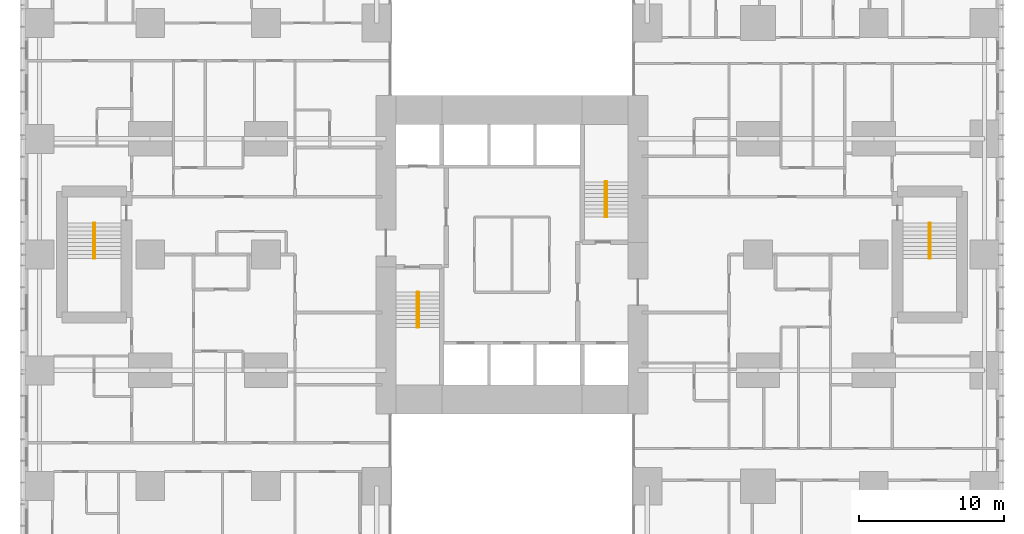
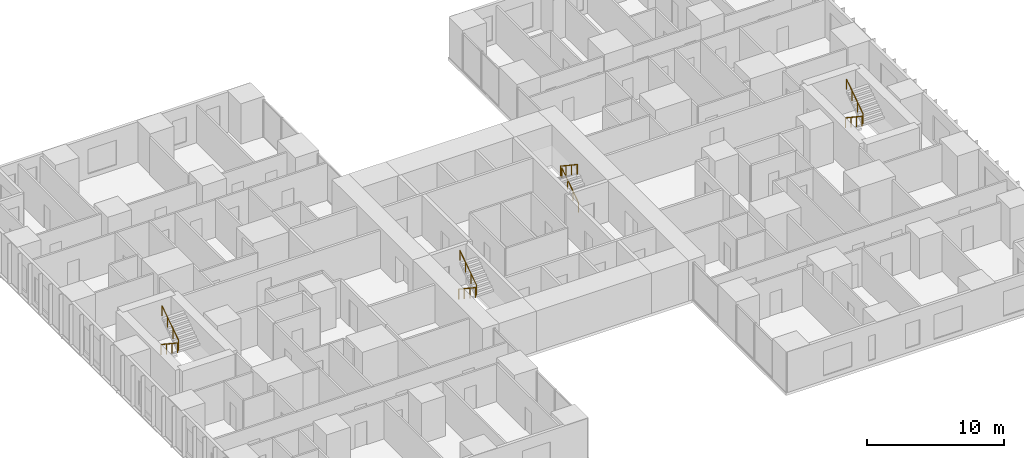
# One storey, part 20 of 20: 8 railings.
"""IFC4 building model written with IfcOpenShell, lengths in metres."""

from ifc_helpers import new_model, si_unit, direction, frame, origin, origin_2d, place, context, subcontext, project, spatial, circle, extrude, material, type_object, element, save


model = new_model("IFC4")

# Units and contexts
model_context = context("Model", 3, precision=1e-05, world=origin(), true_north=direction((0.0, 1.0)))
body_context = subcontext(model_context, "Body", "Model", "MODEL_VIEW")
ifc_project = project(units=[si_unit("LENGTHUNIT", "METRE"), si_unit("AREAUNIT", "SQUARE_METRE"), si_unit("VOLUMEUNIT", "CUBIC_METRE"), si_unit("PLANEANGLEUNIT", "RADIAN"), si_unit("MASSUNIT", "GRAM", prefix="KILO")], contexts=[model_context])

# Site, building, storey
site_placement = place(None, origin())
site = spatial("IfcSite", under=ifc_project, at=site_placement, CompositionType="ELEMENT")
building_placement = place(site_placement, origin())
building = spatial("IfcBuilding", under=site, at=building_placement, Name="Cleftline Residences", CompositionType="ELEMENT")
storey_placement = place(building_placement, frame((0.0, 0.0, 143.0)))
storey = spatial("IfcBuildingStorey", under=building, at=storey_placement, Name="L37", CompositionType="ELEMENT", Elevation=143.0)

# Railings
ifc_material = material(Name="Stainless steel", Category="steel")
railing_type = type_object("IfcRailingType", Name="HANDRAIL 900", PredefinedType="HANDRAIL", material=ifc_material)
railing_1_placement = place(storey_placement, frame((26.449951171875, 21.39990234375, 0.179931640625)))
element("IfcRailing", 1, at=railing_1_placement, inside=storey, type_object=railing_type, Name="Stair handrail", PredefinedType="HANDRAIL", context=body_context, shape_type="SweptSolid", body=[
    extrude(circle(Radius=0.02392578125, at=origin_2d()), frame((0.0, 0.0, 0.8759765625), z_axis=(0.0, -0.832024571796, 0.554738778101), x_axis=(1.0, 0.0, 0.0)), (0.0, 0.0, 1.0), 2.92041015625),
    extrude(circle(Radius=0.02099609375, at=origin_2d()), origin(), (0.0, 0.0, 1.0), 0.851806640625),
    extrude(circle(Radius=0.02099609375, at=origin_2d()), frame((0.0, -0.81005859375, 0.5400390625)), (0.0, 0.0, 1.0), 0.851806640625),
    extrude(circle(Radius=0.02099609375, at=origin_2d()), frame((0.0, -1.619873046875, 1.080078125)), (0.0, 0.0, 1.0), 0.851806640625),
    extrude(circle(Radius=0.02099609375, at=origin_2d()), frame((0.0, -2.429931640625, 1.6201171875)), (0.0, 0.0, 1.0), 0.851806640625),
])
for number, where, name in (
    (2, (26.550048828125, 18.969970703125, 1.97998046875), "Stair handrail"),
    (3, (39.550048828125, 26.60009765625, 0.179931640625), "Stair handrail"),
):
    element("IfcRailing", number, at=place(storey_placement, frame(where)), inside=storey, type_object=railing_type, Name=name, PredefinedType="HANDRAIL", context=body_context, shape_type="SweptSolid", body=[
        extrude(circle(Radius=0.02392578125, at=origin_2d()), frame((0.0, 0.0, 0.8759765625), z_axis=(0.0, 0.832024571796, 0.554738778101), x_axis=(-1.0, 0.0, 0.0)), (0.0, 0.0, 1.0), 2.92041015625),
        extrude(circle(Radius=0.02099609375, at=origin_2d()), origin(), (0.0, 0.0, 1.0), 0.851806640625),
        extrude(circle(Radius=0.02099609375, at=origin_2d()), frame((0.0, 0.81005859375, 0.5400390625)), (0.0, 0.0, 1.0), 0.851806640625),
        extrude(circle(Radius=0.02099609375, at=origin_2d()), frame((0.0, 1.619873046875, 1.080078125)), (0.0, 0.0, 1.0), 0.851806640625),
        extrude(circle(Radius=0.02099609375, at=origin_2d()), frame((0.0, 2.429931640625, 1.6201171875)), (0.0, 0.0, 1.0), 0.851806640625),
    ])
for number, where, name in (
    (4, (39.449951171875, 29.030029296875, 1.97998046875), "Stair handrail"),
    (5, (61.824951171875, 26.175048828125, 0.179931640625), "Stair handrail"),
):
    element("IfcRailing", number, at=place(storey_placement, frame(where)), inside=storey, type_object=railing_type, Name=name, PredefinedType="HANDRAIL", context=body_context, shape_type="SweptSolid", body=[
        extrude(circle(Radius=0.02392578125, at=origin_2d()), frame((0.0, 0.0, 0.8759765625), z_axis=(0.0, -0.832024571796, 0.554738778101), x_axis=(1.0, 0.0, 0.0)), (0.0, 0.0, 1.0), 2.92041015625),
        extrude(circle(Radius=0.02099609375, at=origin_2d()), origin(), (0.0, 0.0, 1.0), 0.851806640625),
        extrude(circle(Radius=0.02099609375, at=origin_2d()), frame((0.0, -0.81005859375, 0.5400390625)), (0.0, 0.0, 1.0), 0.851806640625),
        extrude(circle(Radius=0.02099609375, at=origin_2d()), frame((0.0, -1.619873046875, 1.080078125)), (0.0, 0.0, 1.0), 0.851806640625),
        extrude(circle(Radius=0.02099609375, at=origin_2d()), frame((0.0, -2.429931640625, 1.6201171875)), (0.0, 0.0, 1.0), 0.851806640625),
    ])
railing_2_placement = place(storey_placement, frame((61.925048828125, 23.7451171875, 1.97998046875)))
element("IfcRailing", 6, at=railing_2_placement, inside=storey, type_object=railing_type, Name="Stair handrail", PredefinedType="HANDRAIL", context=body_context, shape_type="SweptSolid", body=[
    extrude(circle(Radius=0.02392578125, at=origin_2d()), frame((0.0, 0.0, 0.8759765625), z_axis=(0.0, 0.832024571796, 0.554738778101), x_axis=(-1.0, 0.0, 0.0)), (0.0, 0.0, 1.0), 2.92041015625),
    extrude(circle(Radius=0.02099609375, at=origin_2d()), origin(), (0.0, 0.0, 1.0), 0.851806640625),
    extrude(circle(Radius=0.02099609375, at=origin_2d()), frame((0.0, 0.81005859375, 0.5400390625)), (0.0, 0.0, 1.0), 0.851806640625),
    extrude(circle(Radius=0.02099609375, at=origin_2d()), frame((0.0, 1.619873046875, 1.080078125)), (0.0, 0.0, 1.0), 0.851806640625),
    extrude(circle(Radius=0.02099609375, at=origin_2d()), frame((0.0, 2.429931640625, 1.6201171875)), (0.0, 0.0, 1.0), 0.851806640625),
])
railing_3_placement = place(storey_placement, frame((4.074951171875, 26.175048828125, 0.179931640625)))
element("IfcRailing", 7, at=railing_3_placement, inside=storey, type_object=railing_type, Name="Stair handrail", PredefinedType="HANDRAIL", context=body_context, shape_type="SweptSolid", body=[
    extrude(circle(Radius=0.02392578125, at=origin_2d()), frame((0.0, 0.0, 0.8759765625), z_axis=(0.0, -0.832024571796, 0.554738778101), x_axis=(1.0, 0.0, 0.0)), (0.0, 0.0, 1.0), 2.92041015625),
    extrude(circle(Radius=0.02099609375, at=origin_2d()), origin(), (0.0, 0.0, 1.0), 0.851806640625),
    extrude(circle(Radius=0.02099609375, at=origin_2d()), frame((0.0, -0.81005859375, 0.5400390625)), (0.0, 0.0, 1.0), 0.851806640625),
    extrude(circle(Radius=0.02099609375, at=origin_2d()), frame((0.0, -1.619873046875, 1.080078125)), (0.0, 0.0, 1.0), 0.851806640625),
    extrude(circle(Radius=0.02099609375, at=origin_2d()), frame((0.0, -2.429931640625, 1.6201171875)), (0.0, 0.0, 1.0), 0.851806640625),
])
railing_4_placement = place(storey_placement, frame((4.175048828125, 23.7451171875, 1.97998046875)))
element("IfcRailing", 8, at=railing_4_placement, inside=storey, type_object=railing_type, Name="Stair handrail", PredefinedType="HANDRAIL", context=body_context, shape_type="SweptSolid", body=[
    extrude(circle(Radius=0.02392578125, at=origin_2d()), frame((0.0, 0.0, 0.8759765625), z_axis=(0.0, 0.832024571796, 0.554738778101), x_axis=(-1.0, 0.0, 0.0)), (0.0, 0.0, 1.0), 2.92041015625),
    extrude(circle(Radius=0.02099609375, at=origin_2d()), origin(), (0.0, 0.0, 1.0), 0.851806640625),
    extrude(circle(Radius=0.02099609375, at=origin_2d()), frame((0.0, 0.81005859375, 0.5400390625)), (0.0, 0.0, 1.0), 0.851806640625),
    extrude(circle(Radius=0.02099609375, at=origin_2d()), frame((0.0, 1.619873046875, 1.080078125)), (0.0, 0.0, 1.0), 0.851806640625),
    extrude(circle(Radius=0.02099609375, at=origin_2d()), frame((0.0, 2.429931640625, 1.6201171875)), (0.0, 0.0, 1.0), 0.851806640625),
])

save(model, "model.ifc")
